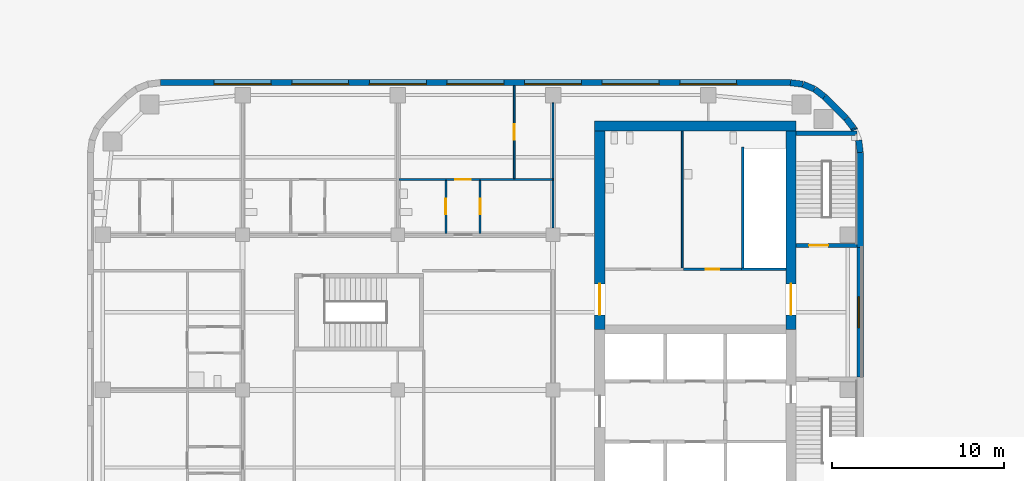
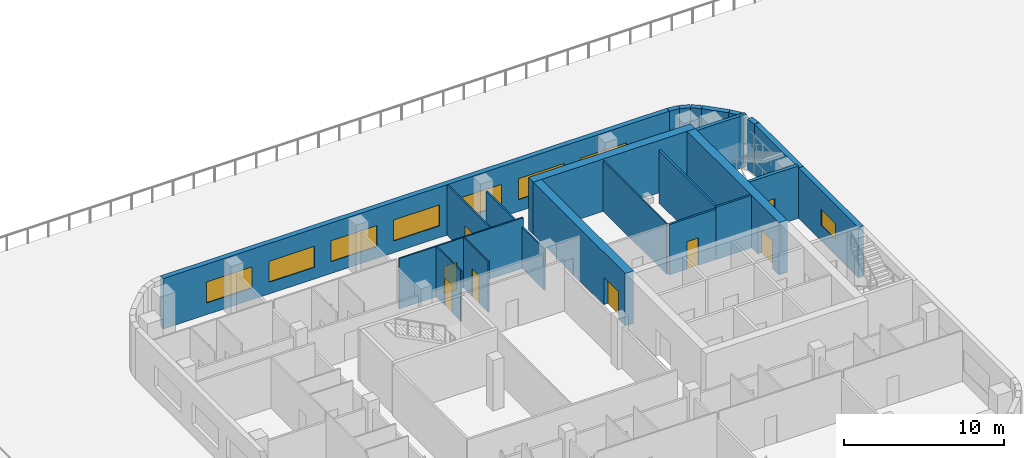
# One storey, part 8 of 18: 25 walls, 8 doors, 8 windows, 16 openings.
"""IFC4 building model written with IfcOpenShell, lengths in metres."""

from ifc_helpers import new_model, si_unit, direction, frame, frame_2d, origin, place, context, subcontext, project, spatial, rectangle, extrude, material, layer, layer_set, type_object, element, fill, save


model = new_model("IFC4")

# Units and contexts
model_context = context("Model", 3, precision=1e-05, world=origin(), true_north=direction((0.0, 1.0)))
body_context = subcontext(model_context, "Body", "Model", "MODEL_VIEW")
ifc_project = project(units=[si_unit("LENGTHUNIT", "METRE"), si_unit("AREAUNIT", "SQUARE_METRE"), si_unit("VOLUMEUNIT", "CUBIC_METRE"), si_unit("PLANEANGLEUNIT", "RADIAN"), si_unit("MASSUNIT", "GRAM", prefix="KILO")], contexts=[model_context])

# Site, building, storey
site_placement = place(None, origin())
site = spatial("IfcSite", under=ifc_project, at=site_placement, CompositionType="ELEMENT")
building_placement = place(site_placement, origin())
building = spatial("IfcBuilding", under=site, at=building_placement, Name="Cinnabar Reach Civic Tower", CompositionType="ELEMENT")
storey_placement = place(building_placement, frame((0.0, 0.0, 26.0)))
storey = spatial("IfcBuildingStorey", under=building, at=storey_placement, Name="L05", CompositionType="ELEMENT", Elevation=26.0)

# Walls
ifc_material_1 = material(Name="Facing brick with insulated backing", Category="masonry")
ifc_layer_1 = layer(ifc_material_1, 0.36)
ifc_layer_set_1 = layer_set([ifc_layer_1], Name="Brick corner wall")
wall_type_1 = type_object("IfcWallType", Name="Brick corner wall", PredefinedType="STANDARD", material=ifc_layer_set_1)
wall_1_placement = place(storey_placement, frame((-27.183, 40.7686, 0.0), z_axis=(0.0, 0.0, 1.0), x_axis=(-0.13055608231, 0.99144092581, 0.0)))
element("IfcWall", 1, at=wall_1_placement, inside=storey, type_object=wall_type_1, Name="Brick corner wall", PredefinedType="STANDARD", context=body_context, shape_type="SweptSolid", body=[
    extrude(rectangle(XDim=0.7131, YDim=0.36, at=frame_2d((0.3565, 0.0))), origin(), (0.0, 0.0, 1.0), 3.85),
])
wall_2_placement = place(storey_placement, frame((-27.5206, 42.0735, 0.0), z_axis=(0.0, 0.0, 1.0), x_axis=(-0.382549378284, 0.923935048136, 0.0)))
element("IfcWall", 2, at=wall_2_placement, inside=storey, type_object=wall_type_1, Name="Brick corner wall", PredefinedType="STANDARD", context=body_context, shape_type="SweptSolid", body=[
    extrude(rectangle(XDim=0.0894, YDim=0.36, at=frame_2d((0.0447, 0.0))), origin(), (0.0, 0.0, 1.0), 3.85),
])
for number, where, z_axis, x_axis, name in (
    (3, (-27.566, 42.1755, 0.0), (0.0, 0.0, 1.0), (-0.608802368033, 0.793321924995, 0.0), "Brick corner wall"),
    (4, (-29.2587, 43.9998, 0.0), (0.0, 0.0, 1.0), (-0.793321924995, 0.608802368033, 0.0), "Brick corner wall"),
):
    element("IfcWall", number, at=place(storey_placement, frame(where, z_axis=z_axis, x_axis=x_axis)), inside=storey, type_object=wall_type_1, Name=name, PredefinedType="STANDARD", context=body_context, shape_type="SweptSolid", body=[
        extrude(rectangle(XDim=0.7132, YDim=0.36, at=frame_2d((0.3566, 0.0))), origin(), (0.0, 0.0, 1.0), 3.85),
    ])
for number, where, z_axis, x_axis, name in (
    (5, (-29.8439, 44.4452, 0.0), (0.0, 0.0, 1.0), (-0.923871547278, 0.382702709855, 0.0), "Brick corner wall"),
    (6, (-30.5244, 44.7239, 0.0), (0.0, 0.0, 1.0), (-0.99144092581, 0.13055608231, 0.0), "Brick corner wall"),
):
    element("IfcWall", number, at=place(storey_placement, frame(where, z_axis=z_axis, x_axis=x_axis)), inside=storey, type_object=wall_type_1, Name=name, PredefinedType="STANDARD", context=body_context, shape_type="SweptSolid", body=[
        extrude(rectangle(XDim=0.7131, YDim=0.36, at=frame_2d((0.3565, 0.0))), origin(), (0.0, 0.0, 1.0), 3.85),
    ])

# Wall, opening, window
ifc_layer_2 = layer(ifc_material_1, 0.36)
ifc_layer_set_2 = layer_set([ifc_layer_2], Name="Brick pier and spandrel wall")
wall_type_2 = type_object("IfcWallType", Name="Brick pier and spandrel wall", PredefinedType="STANDARD", material=ifc_layer_set_2)
wall_3_placement = place(storey_placement, frame((-27.18, 27.75, 0.0), z_axis=(0.0, 0.0, 1.0), x_axis=(0.0, 1.0, 0.0)))
wall_3 = element("IfcWall", 7, at=wall_3_placement, inside=storey, type_object=wall_type_2, Name="Brick facade wall", PredefinedType="STANDARD", context=body_context, shape_type="SweptSolid", body=[
    extrude(rectangle(XDim=7.5, YDim=0.36, at=frame_2d((3.75, 0.0))), origin(), (0.0, 0.0, 1.0), 3.85),
])
opening_1_placement = place(wall_3_placement, frame((2.85, 0.0, 1.2)))
opening_1 = element("IfcOpeningElement", 8, at=opening_1_placement, cuts=wall_3, Name="Opening W2358", PredefinedType="OPENING", context=body_context, shape_type="SweptSolid", body=[
    extrude(rectangle(XDim=1.8, YDim=1.2, at=frame_2d((0.9, 0.6))), frame((0.0, 0.19, 0.0), z_axis=(0.0, -1.0, 0.0), x_axis=(1.0, 0.0, 0.0)), (0.0, 0.0, 1.0), 0.38),
])
ifc_material_2 = material(Name="Clear double glazing in aluminium frame", Category="aluminium")
window_type_1 = type_object("IfcWindowType", Name="Deep-set window C", PartitioningType="SINGLE_PANEL", PredefinedType="WINDOW", material=ifc_material_2)
window_1_placement = place(opening_1_placement, origin())
window_1 = element("IfcWindow", 9, at=window_1_placement, inside=storey, type_object=window_type_1, Name="Window east face", OverallHeight=1.2, OverallWidth=1.8, PartitioningType="SINGLE_PANEL", PredefinedType="WINDOW", context=body_context, shape_type="SweptSolid", body=[
    extrude(rectangle(XDim=1.8, YDim=1.2, at=frame_2d((0.9, 0.6))), frame((0.0, 0.13, 0.0), z_axis=(0.0, -1.0, 0.0), x_axis=(1.0, 0.0, 0.0)), (0.0, 0.0, 1.0), 0.06),
])
fill(opening_1, window_1)

# Walls
wall_4_placement = place(storey_placement, frame((-27.18, 35.25, 0.0), z_axis=(0.0, 0.0, 1.0), x_axis=(0.0, 1.0, 0.0)))
element("IfcWall", 10, at=wall_4_placement, inside=storey, type_object=wall_type_2, Name="Brick facade wall", PredefinedType="STANDARD", context=body_context, shape_type="SweptSolid", body=[
    extrude(rectangle(XDim=5.5074, YDim=0.36, at=frame_2d((2.7537, 0.0))), origin(), (0.0, 0.0, 1.0), 3.85),
])
wall_5_placement = place(storey_placement, frame((-28.006, 42.7514, 0.0), z_axis=(0.0, 0.0, 1.0), x_axis=(-0.707106781187, 0.707106781187, 0.0)))
element("IfcWall", 11, at=wall_5_placement, inside=storey, type_object=wall_type_2, Name="Brick facade wall", PredefinedType="STANDARD", context=body_context, shape_type="SweptSolid", body=[
    extrude(rectangle(XDim=1.7573, YDim=0.36, at=frame_2d((0.8787, 0.0))), origin(), (0.0, 0.0, 1.0), 3.85),
])

# Wall, openings, windows
wall_6_placement = place(storey_placement, frame((-31.2426, 44.82, 0.0), z_axis=(0.0, 0.0, 1.0), x_axis=(-1.0, 0.0, 0.0)))
wall_6 = element("IfcWall", 12, at=wall_6_placement, inside=storey, type_object=wall_type_2, Name="Brick facade wall", PredefinedType="STANDARD", context=body_context, shape_type="SweptSolid", body=[
    extrude(rectangle(XDim=36.5148, YDim=0.36, at=frame_2d((18.2574, 0.0))), origin(), (0.0, 0.0, 1.0), 3.85),
])
opening_2_placement = place(wall_6_placement, frame((3.1074, 0.0, 0.9)))
opening_2 = element("IfcOpeningElement", 13, at=opening_2_placement, cuts=wall_6, Name="Opening W2359", PredefinedType="OPENING", context=body_context, shape_type="SweptSolid", body=[
    extrude(rectangle(XDim=3.3, YDim=1.6, at=frame_2d((1.65, 0.8))), frame((0.0, 0.19, 0.0), z_axis=(0.0, -1.0, 0.0), x_axis=(1.0, 0.0, 0.0)), (0.0, 0.0, 1.0), 0.38),
])
opening_3_placement = place(wall_6_placement, frame((7.6074, 0.0, 0.9)))
opening_3 = element("IfcOpeningElement", 14, at=opening_3_placement, cuts=wall_6, Name="Opening W2360", PredefinedType="OPENING", context=body_context, shape_type="SweptSolid", body=[
    extrude(rectangle(XDim=3.3, YDim=1.6, at=frame_2d((1.65, 0.8))), frame((0.0, 0.19, 0.0), z_axis=(0.0, -1.0, 0.0), x_axis=(1.0, 0.0, 0.0)), (0.0, 0.0, 1.0), 0.38),
])
opening_4_placement = place(wall_6_placement, frame((12.1074, 0.0, 0.9)))
opening_4 = element("IfcOpeningElement", 15, at=opening_4_placement, cuts=wall_6, Name="Opening W2361", PredefinedType="OPENING", context=body_context, shape_type="SweptSolid", body=[
    extrude(rectangle(XDim=3.3, YDim=1.6, at=frame_2d((1.65, 0.8))), frame((0.0, 0.19, 0.0), z_axis=(0.0, -1.0, 0.0), x_axis=(1.0, 0.0, 0.0)), (0.0, 0.0, 1.0), 0.38),
])
opening_5_placement = place(wall_6_placement, frame((16.6074, 0.0, 0.9)))
opening_5 = element("IfcOpeningElement", 16, at=opening_5_placement, cuts=wall_6, Name="Opening W2362", PredefinedType="OPENING", context=body_context, shape_type="SweptSolid", body=[
    extrude(rectangle(XDim=3.3, YDim=1.6, at=frame_2d((1.65, 0.8))), frame((0.0, 0.19, 0.0), z_axis=(0.0, -1.0, 0.0), x_axis=(1.0, 0.0, 0.0)), (0.0, 0.0, 1.0), 0.38),
])
opening_6_placement = place(wall_6_placement, frame((21.1074, 0.0, 0.9)))
opening_6 = element("IfcOpeningElement", 17, at=opening_6_placement, cuts=wall_6, Name="Opening W2363", PredefinedType="OPENING", context=body_context, shape_type="SweptSolid", body=[
    extrude(rectangle(XDim=3.3, YDim=1.6, at=frame_2d((1.65, 0.8))), frame((0.0, 0.19, 0.0), z_axis=(0.0, -1.0, 0.0), x_axis=(1.0, 0.0, 0.0)), (0.0, 0.0, 1.0), 0.38),
])
opening_7_placement = place(wall_6_placement, frame((25.6074, 0.0, 0.9)))
opening_7 = element("IfcOpeningElement", 18, at=opening_7_placement, cuts=wall_6, Name="Opening W2364", PredefinedType="OPENING", context=body_context, shape_type="SweptSolid", body=[
    extrude(rectangle(XDim=3.3, YDim=1.6, at=frame_2d((1.65, 0.8))), frame((0.0, 0.19, 0.0), z_axis=(0.0, -1.0, 0.0), x_axis=(1.0, 0.0, 0.0)), (0.0, 0.0, 1.0), 0.38),
])
opening_8_placement = place(wall_6_placement, frame((30.1074, 0.0, 0.9)))
opening_8 = element("IfcOpeningElement", 19, at=opening_8_placement, cuts=wall_6, Name="Opening W2365", PredefinedType="OPENING", context=body_context, shape_type="SweptSolid", body=[
    extrude(rectangle(XDim=3.3, YDim=1.6, at=frame_2d((1.65, 0.8))), frame((0.0, 0.19, 0.0), z_axis=(0.0, -1.0, 0.0), x_axis=(1.0, 0.0, 0.0)), (0.0, 0.0, 1.0), 0.38),
])
window_type_2 = type_object("IfcWindowType", Name="Deep-set window A", PartitioningType="SINGLE_PANEL", PredefinedType="WINDOW", material=ifc_material_2)
window_2_placement = place(opening_2_placement, origin())
window_2 = element("IfcWindow", 20, at=window_2_placement, inside=storey, type_object=window_type_2, Name="Window north face", OverallHeight=1.6, OverallWidth=3.3, PartitioningType="SINGLE_PANEL", PredefinedType="WINDOW", context=body_context, shape_type="SweptSolid", body=[
    extrude(rectangle(XDim=3.3, YDim=1.6, at=frame_2d((1.65, 0.8))), frame((0.0, 0.13, 0.0), z_axis=(0.0, -1.0, 0.0), x_axis=(1.0, 0.0, 0.0)), (0.0, 0.0, 1.0), 0.06),
])
fill(opening_2, window_2)
window_3_placement = place(opening_3_placement, origin())
window_3 = element("IfcWindow", 21, at=window_3_placement, inside=storey, type_object=window_type_2, Name="Window north face", OverallHeight=1.6, OverallWidth=3.3, PartitioningType="SINGLE_PANEL", PredefinedType="WINDOW", context=body_context, shape_type="SweptSolid", body=[
    extrude(rectangle(XDim=3.3, YDim=1.6, at=frame_2d((1.65, 0.8))), frame((0.0, 0.13, 0.0), z_axis=(0.0, -1.0, 0.0), x_axis=(1.0, 0.0, 0.0)), (0.0, 0.0, 1.0), 0.06),
])
fill(opening_3, window_3)
window_4_placement = place(opening_4_placement, origin())
window_4 = element("IfcWindow", 22, at=window_4_placement, inside=storey, type_object=window_type_2, Name="Window north face", OverallHeight=1.6, OverallWidth=3.3, PartitioningType="SINGLE_PANEL", PredefinedType="WINDOW", context=body_context, shape_type="SweptSolid", body=[
    extrude(rectangle(XDim=3.3, YDim=1.6, at=frame_2d((1.65, 0.8))), frame((0.0, 0.13, 0.0), z_axis=(0.0, -1.0, 0.0), x_axis=(1.0, 0.0, 0.0)), (0.0, 0.0, 1.0), 0.06),
])
fill(opening_4, window_4)
window_5_placement = place(opening_5_placement, origin())
window_5 = element("IfcWindow", 23, at=window_5_placement, inside=storey, type_object=window_type_2, Name="Window north face", OverallHeight=1.6, OverallWidth=3.3, PartitioningType="SINGLE_PANEL", PredefinedType="WINDOW", context=body_context, shape_type="SweptSolid", body=[
    extrude(rectangle(XDim=3.3, YDim=1.6, at=frame_2d((1.65, 0.8))), frame((0.0, 0.13, 0.0), z_axis=(0.0, -1.0, 0.0), x_axis=(1.0, 0.0, 0.0)), (0.0, 0.0, 1.0), 0.06),
])
fill(opening_5, window_5)
window_6_placement = place(opening_6_placement, origin())
window_6 = element("IfcWindow", 24, at=window_6_placement, inside=storey, type_object=window_type_2, Name="Window north face", OverallHeight=1.6, OverallWidth=3.3, PartitioningType="SINGLE_PANEL", PredefinedType="WINDOW", context=body_context, shape_type="SweptSolid", body=[
    extrude(rectangle(XDim=3.3, YDim=1.6, at=frame_2d((1.65, 0.8))), frame((0.0, 0.13, 0.0), z_axis=(0.0, -1.0, 0.0), x_axis=(1.0, 0.0, 0.0)), (0.0, 0.0, 1.0), 0.06),
])
fill(opening_6, window_6)
window_7_placement = place(opening_7_placement, origin())
window_7 = element("IfcWindow", 25, at=window_7_placement, inside=storey, type_object=window_type_2, Name="Window north face", OverallHeight=1.6, OverallWidth=3.3, PartitioningType="SINGLE_PANEL", PredefinedType="WINDOW", context=body_context, shape_type="SweptSolid", body=[
    extrude(rectangle(XDim=3.3, YDim=1.6, at=frame_2d((1.65, 0.8))), frame((0.0, 0.13, 0.0), z_axis=(0.0, -1.0, 0.0), x_axis=(1.0, 0.0, 0.0)), (0.0, 0.0, 1.0), 0.06),
])
fill(opening_7, window_7)
window_8_placement = place(opening_8_placement, origin())
window_8 = element("IfcWindow", 26, at=window_8_placement, inside=storey, type_object=window_type_2, Name="Window north face", OverallHeight=1.6, OverallWidth=3.3, PartitioningType="SINGLE_PANEL", PredefinedType="WINDOW", context=body_context, shape_type="SweptSolid", body=[
    extrude(rectangle(XDim=3.3, YDim=1.6, at=frame_2d((1.65, 0.8))), frame((0.0, 0.13, 0.0), z_axis=(0.0, -1.0, 0.0), x_axis=(1.0, 0.0, 0.0)), (0.0, 0.0, 1.0), 0.06),
])
fill(opening_8, window_8)

# Wall
ifc_material_3 = material(Name="Concrete C70", Category="concrete")
ifc_layer_3 = layer(ifc_material_3, 0.6)
ifc_layer_set_3 = layer_set([ifc_layer_3], Name="Core wall 600 EI 180")
wall_type_3 = type_object("IfcWallType", Name="Core wall 600 EI 180", PredefinedType="SOLIDWALL", material=ifc_layer_set_3)
wall_7_placement = place(storey_placement, frame((-30.9, 42.3, 0.0), z_axis=(0.0, 0.0, 1.0), x_axis=(-1.0, 0.0, 0.0)))
element("IfcWall", 27, at=wall_7_placement, inside=storey, type_object=wall_type_3, Name="Core wall T2 L05 N", PredefinedType="SOLIDWALL", context=body_context, shape_type="SweptSolid", body=[
    extrude(rectangle(XDim=11.7, YDim=0.6, at=frame_2d((5.85, 0.0))), origin(), (0.0, 0.0, 1.0), 4.0),
])

# Wall, opening, door
wall_8_placement = place(storey_placement, frame((-31.2, 30.5, 0.0), z_axis=(0.0, 0.0, 1.0), x_axis=(0.0, 1.0, 0.0)))
wall_8 = element("IfcWall", 28, at=wall_8_placement, inside=storey, type_object=wall_type_3, Name="Core wall T2 L05 E2", PredefinedType="SOLIDWALL", context=body_context, shape_type="SweptSolid", body=[
    extrude(rectangle(XDim=11.5, YDim=0.6, at=frame_2d((5.75, 0.0))), origin(), (0.0, 0.0, 1.0), 4.0),
])
opening_9_placement = place(wall_8_placement, frame((0.85, 0.0, 0.0)))
opening_9 = element("IfcOpeningElement", 29, at=opening_9_placement, cuts=wall_8, Name="Opening D6100", PredefinedType="OPENING", context=body_context, shape_type="SweptSolid", body=[
    extrude(rectangle(XDim=1.8, YDim=2.1, at=frame_2d((0.9, 1.05))), frame((0.0, 0.31, 0.0), z_axis=(0.0, -1.0, 0.0), x_axis=(1.0, 0.0, 0.0)), (0.0, 0.0, 1.0), 0.62),
])
ifc_material_4 = material(Name="Steel fire door", Category="steel")
door_type_1 = type_object("IfcDoorType", Name="T2 Double door 1800", OperationType="DOUBLE_DOOR_SINGLE_SWING", PredefinedType="DOOR", material=ifc_material_4)
door_1_placement = place(opening_9_placement, origin())
door_1 = element("IfcDoor", 30, at=door_1_placement, inside=storey, type_object=door_type_1, Name="T2 Double door D6100", OperationType="DOUBLE_DOOR_SINGLE_SWING", OverallHeight=2.1, OverallWidth=1.8, PredefinedType="DOOR", context=body_context, shape_type="SweptSolid", body=[
    extrude(rectangle(XDim=1.8, YDim=2.1, at=frame_2d((0.9, 1.05))), frame((0.0, 0.025, 0.0), z_axis=(0.0, -1.0, 0.0), x_axis=(1.0, 0.0, 0.0)), (0.0, 0.0, 1.0), 0.05),
])
fill(opening_9, door_1)

wall_9_placement = place(storey_placement, frame((-42.3, 42.0, 0.0), z_axis=(0.0, 0.0, 1.0), x_axis=(0.0, -1.0, 0.0)))
wall_9 = element("IfcWall", 31, at=wall_9_placement, inside=storey, type_object=wall_type_3, Name="Core wall T2 L05 W", PredefinedType="SOLIDWALL", context=body_context, shape_type="SweptSolid", body=[
    extrude(rectangle(XDim=11.5, YDim=0.6, at=frame_2d((5.75, 0.0))), origin(), (0.0, 0.0, 1.0), 4.0),
])
opening_10_placement = place(wall_9_placement, frame((8.85, 0.0, 0.0)))
opening_10 = element("IfcOpeningElement", 32, at=opening_10_placement, cuts=wall_9, Name="Opening D6102", PredefinedType="OPENING", context=body_context, shape_type="SweptSolid", body=[
    extrude(rectangle(XDim=1.8, YDim=2.1, at=frame_2d((0.9, 1.05))), frame((0.0, 0.31, 0.0), z_axis=(0.0, -1.0, 0.0), x_axis=(1.0, 0.0, 0.0)), (0.0, 0.0, 1.0), 0.62),
])
door_2_placement = place(opening_10_placement, frame((1.8, 0.0, 0.0), z_axis=(0.0, 0.0, 1.0), x_axis=(-1.0, 0.0, 0.0)))
door_2 = element("IfcDoor", 33, at=door_2_placement, inside=storey, type_object=door_type_1, Name="T2 Double door D6102", OperationType="DOUBLE_DOOR_SINGLE_SWING", OverallHeight=2.1, OverallWidth=1.8, PredefinedType="DOOR", context=body_context, shape_type="SweptSolid", body=[
    extrude(rectangle(XDim=1.8, YDim=2.1, at=frame_2d((0.9, 1.05))), frame((0.0, 0.025, 0.0), z_axis=(0.0, -1.0, 0.0), x_axis=(1.0, 0.0, 0.0)), (0.0, 0.0, 1.0), 0.05),
])
fill(opening_10, door_2)

ifc_material_5 = material(Name="Gypsum board on steel studs", Category="steel")
ifc_layer_4 = layer(ifc_material_5, 0.1)
ifc_layer_set_4 = layer_set([ifc_layer_4], Name="Partition wall 100 T2")
wall_type_4 = type_object("IfcWallType", Name="Partition wall 100 T2", PredefinedType="PARTITIONING", material=ifc_layer_set_4)
wall_10_placement = place(storey_placement, frame((-53.925, 39.2, 0.0), z_axis=(0.0, 0.0, 1.0), x_axis=(1.0, 0.0, 0.0)))
wall_10 = element("IfcWall", 34, at=wall_10_placement, inside=storey, type_object=wall_type_4, Name="Partition wall 32", PredefinedType="PARTITIONING", context=body_context, shape_type="SweptSolid", body=[
    extrude(rectangle(XDim=8.975, YDim=0.1, at=frame_2d((4.4875, 0.0))), origin(), (0.0, 0.0, 1.0), 3.85),
])
opening_11_placement = place(wall_10_placement, frame((3.265, 0.0, 0.0)))
opening_11 = element("IfcOpeningElement", 35, at=opening_11_placement, cuts=wall_10, Name="Opening D6133", PredefinedType="OPENING", context=body_context, shape_type="SweptSolid", body=[
    extrude(rectangle(XDim=0.9, YDim=2.1, at=frame_2d((0.45, 1.05))), frame((0.0, 0.06, 0.0), z_axis=(0.0, -1.0, 0.0), x_axis=(1.0, 0.0, 0.0)), (0.0, 0.0, 1.0), 0.12),
])
ifc_material_6 = material(Name="Timber door leaf in steel frame", Category="steel")
door_type_2 = type_object("IfcDoorType", Name="Single swing door 900 x 2100 T2", OperationType="SINGLE_SWING_LEFT", PredefinedType="DOOR", material=ifc_material_6)
door_3_placement = place(opening_11_placement, frame((0.9, 0.0, 0.0), z_axis=(0.0, 0.0, 1.0), x_axis=(-1.0, 0.0, 0.0)))
door_3 = element("IfcDoor", 36, at=door_3_placement, inside=storey, type_object=door_type_2, Name="Door D6133", OperationType="SINGLE_SWING_LEFT", OverallHeight=2.1, OverallWidth=0.9, PredefinedType="DOOR", context=body_context, shape_type="SweptSolid", body=[
    extrude(rectangle(XDim=0.9, YDim=2.1, at=frame_2d((0.45, 1.05))), frame((0.0, 0.025, 0.0), z_axis=(0.0, -1.0, 0.0), x_axis=(1.0, 0.0, 0.0)), (0.0, 0.0, 1.0), 0.05),
])
fill(opening_11, door_3)

# Walls
wall_11_placement = place(storey_placement, frame((-45.0, 39.25, 0.0), z_axis=(0.0, 0.0, 1.0), x_axis=(0.0, 1.0, 0.0)))
element("IfcWall", 37, at=wall_11_placement, inside=storey, type_object=wall_type_4, Name="Partition wall 40", PredefinedType="PARTITIONING", context=body_context, shape_type="SweptSolid", body=[
    extrude(rectangle(XDim=4.4, YDim=0.1, at=frame_2d((2.2, 0.0))), origin(), (0.0, 0.0, 1.0), 3.158),
])
wall_12_placement = place(storey_placement, frame((-45.0, 36.4, 0.0), z_axis=(0.0, 0.0, 1.0), x_axis=(0.0, 1.0, 0.0)))
element("IfcWall", 38, at=wall_12_placement, inside=storey, type_object=wall_type_4, Name="Partition wall 41", PredefinedType="PARTITIONING", context=body_context, shape_type="SweptSolid", body=[
    extrude(rectangle(XDim=2.75, YDim=0.1, at=frame_2d((1.375, 0.0))), origin(), (0.0, 0.0, 1.0), 3.158),
])

# Wall, opening, door
wall_13_placement = place(storey_placement, frame((-47.25, 39.25, 0.0), z_axis=(0.0, 0.0, 1.0), x_axis=(0.0, 1.0, 0.0)))
wall_13 = element("IfcWall", 39, at=wall_13_placement, inside=storey, type_object=wall_type_4, Name="Partition wall 42", PredefinedType="PARTITIONING", context=body_context, shape_type="SweptSolid", body=[
    extrude(rectangle(XDim=5.39, YDim=0.1, at=frame_2d((2.695, 0.0))), origin(), (0.0, 0.0, 1.0), 3.85),
])
opening_12_placement = place(wall_13_placement, frame((2.25, 0.0, 0.0)))
opening_12 = element("IfcOpeningElement", 40, at=opening_12_placement, cuts=wall_13, Name="Opening D6134", PredefinedType="OPENING", context=body_context, shape_type="SweptSolid", body=[
    extrude(rectangle(XDim=0.9, YDim=2.1, at=frame_2d((0.45, 1.05))), frame((0.0, 0.06, 0.0), z_axis=(0.0, -1.0, 0.0), x_axis=(1.0, 0.0, 0.0)), (0.0, 0.0, 1.0), 0.12),
])
door_4_placement = place(opening_12_placement, frame((0.9, 0.0, 0.0), z_axis=(0.0, 0.0, 1.0), x_axis=(-1.0, 0.0, 0.0)))
door_4 = element("IfcDoor", 41, at=door_4_placement, inside=storey, type_object=door_type_2, Name="Door D6134", OperationType="SINGLE_SWING_RIGHT", OverallHeight=2.1, OverallWidth=0.9, PredefinedType="DOOR", context=body_context, shape_type="SweptSolid", body=[
    extrude(rectangle(XDim=0.9, YDim=2.1, at=frame_2d((0.45, 1.05))), frame((0.0, 0.025, 0.0), z_axis=(0.0, -1.0, 0.0), x_axis=(1.0, 0.0, 0.0)), (0.0, 0.0, 1.0), 0.05),
])
fill(opening_12, door_4)

wall_14_placement = place(storey_placement, frame((-51.21, 36.075, 0.0), z_axis=(0.0, 0.0, 1.0), x_axis=(0.0, 1.0, 0.0)))
wall_14 = element("IfcWall", 42, at=wall_14_placement, inside=storey, type_object=wall_type_4, Name="Partition wall 51", PredefinedType="PARTITIONING", context=body_context, shape_type="SweptSolid", body=[
    extrude(rectangle(XDim=3.075, YDim=0.1, at=frame_2d((1.5375, 0.0))), origin(), (0.0, 0.0, 1.0), 3.85),
])
opening_13_placement = place(wall_14_placement, frame((1.1, 0.0, 0.0)))
opening_13 = element("IfcOpeningElement", 43, at=opening_13_placement, cuts=wall_14, Name="Opening D6131", PredefinedType="OPENING", context=body_context, shape_type="SweptSolid", body=[
    extrude(rectangle(XDim=0.9, YDim=2.1, at=frame_2d((0.45, 1.05))), frame((0.0, 0.06, 0.0), z_axis=(0.0, -1.0, 0.0), x_axis=(1.0, 0.0, 0.0)), (0.0, 0.0, 1.0), 0.12),
])
door_5_placement = place(opening_13_placement, origin())
door_5 = element("IfcDoor", 44, at=door_5_placement, inside=storey, type_object=door_type_2, Name="Door D6131", OperationType="SINGLE_SWING_LEFT", OverallHeight=2.1, OverallWidth=0.9, PredefinedType="DOOR", context=body_context, shape_type="SweptSolid", body=[
    extrude(rectangle(XDim=0.9, YDim=2.1, at=frame_2d((0.45, 1.05))), frame((0.0, 0.025, 0.0), z_axis=(0.0, -1.0, 0.0), x_axis=(1.0, 0.0, 0.0)), (0.0, 0.0, 1.0), 0.05),
])
fill(opening_13, door_5)

wall_15_placement = place(storey_placement, frame((-49.23, 36.075, 0.0), z_axis=(0.0, 0.0, 1.0), x_axis=(0.0, 1.0, 0.0)))
wall_15 = element("IfcWall", 45, at=wall_15_placement, inside=storey, type_object=wall_type_4, Name="Partition wall 52", PredefinedType="PARTITIONING", context=body_context, shape_type="SweptSolid", body=[
    extrude(rectangle(XDim=3.075, YDim=0.1, at=frame_2d((1.5375, 0.0))), origin(), (0.0, 0.0, 1.0), 3.85),
])
opening_14_placement = place(wall_15_placement, frame((1.1, 0.0, 0.0)))
opening_14 = element("IfcOpeningElement", 46, at=opening_14_placement, cuts=wall_15, Name="Opening D6132", PredefinedType="OPENING", context=body_context, shape_type="SweptSolid", body=[
    extrude(rectangle(XDim=0.9, YDim=2.1, at=frame_2d((0.45, 1.05))), frame((0.0, 0.06, 0.0), z_axis=(0.0, -1.0, 0.0), x_axis=(1.0, 0.0, 0.0)), (0.0, 0.0, 1.0), 0.12),
])
door_6_placement = place(opening_14_placement, origin())
door_6 = element("IfcDoor", 47, at=door_6_placement, inside=storey, type_object=door_type_2, Name="Door D6132", OperationType="SINGLE_SWING_LEFT", OverallHeight=2.1, OverallWidth=0.9, PredefinedType="DOOR", context=body_context, shape_type="SweptSolid", body=[
    extrude(rectangle(XDim=0.9, YDim=2.1, at=frame_2d((0.45, 1.05))), frame((0.0, 0.025, 0.0), z_axis=(0.0, -1.0, 0.0), x_axis=(1.0, 0.0, 0.0)), (0.0, 0.0, 1.0), 0.05),
])
fill(opening_14, door_6)

ifc_material_7 = material(Name="Concrete C60", Category="concrete")
ifc_layer_5 = layer(ifc_material_7, 0.25)
ifc_layer_set_5 = layer_set([ifc_layer_5], Name="Stair shaft wall 250 EI 120")
wall_type_5 = type_object("IfcWallType", Name="Stair shaft wall 250 EI 120", PredefinedType="SOLIDWALL", material=ifc_layer_set_5)
wall_16_placement = place(storey_placement, frame((-30.9, 35.375, 0.0), z_axis=(0.0, 0.0, 1.0), x_axis=(1.0, 0.0, 0.0)))
wall_16 = element("IfcWall", 48, at=wall_16_placement, inside=storey, type_object=wall_type_5, Name="Stair shaft wall T2-S2 L05", PredefinedType="SOLIDWALL", context=body_context, shape_type="SweptSolid", body=[
    extrude(rectangle(XDim=3.54, YDim=0.25, at=frame_2d((1.77, 0.0))), origin(), (0.0, 0.0, 1.0), 4.0),
])
opening_15_placement = place(wall_16_placement, frame((0.75, 0.0, 0.0)))
opening_15 = element("IfcOpeningElement", 49, at=opening_15_placement, cuts=wall_16, Name="Opening D6099", PredefinedType="OPENING", context=body_context, shape_type="SweptSolid", body=[
    extrude(rectangle(XDim=1.1, YDim=2.1, at=frame_2d((0.55, 1.05))), frame((0.0, 0.135, 0.0), z_axis=(0.0, -1.0, 0.0), x_axis=(1.0, 0.0, 0.0)), (0.0, 0.0, 1.0), 0.27),
])
door_type_3 = type_object("IfcDoorType", Name="T2 Stair door 1100", OperationType="SINGLE_SWING_LEFT", PredefinedType="DOOR", material=ifc_material_4)
door_7_placement = place(opening_15_placement, origin())
door_7 = element("IfcDoor", 50, at=door_7_placement, inside=storey, type_object=door_type_3, Name="T2 Stair door D6099", OperationType="SINGLE_SWING_RIGHT", OverallHeight=2.1, OverallWidth=1.1, PredefinedType="DOOR", context=body_context, shape_type="SweptSolid", body=[
    extrude(rectangle(XDim=1.1, YDim=2.1, at=frame_2d((0.55, 1.05))), frame((0.0, 0.025, 0.0), z_axis=(0.0, -1.0, 0.0), x_axis=(1.0, 0.0, 0.0)), (0.0, 0.0, 1.0), 0.05),
])
fill(opening_15, door_7)

# Wall
wall_17_placement = place(storey_placement, frame((-27.36, 41.875, 0.0), z_axis=(0.0, 0.0, 1.0), x_axis=(-1.0, 0.0, 0.0)))
element("IfcWall", 51, at=wall_17_placement, inside=storey, type_object=wall_type_5, Name="Stair shaft wall T2-S2 L05", PredefinedType="SOLIDWALL", context=body_context, shape_type="SweptSolid", body=[
    extrude(rectangle(XDim=3.54, YDim=0.25, at=frame_2d((1.77, 0.0))), origin(), (0.0, 0.0, 1.0), 4.0),
])

# Wall, opening, door
ifc_material_8 = material(Name="Masonry block partition", Category="masonry")
ifc_layer_6 = layer(ifc_material_8, 0.15)
ifc_layer_set_6 = layer_set([ifc_layer_6], Name="T2 Corridor wall 150")
wall_type_6 = type_object("IfcWallType", Name="T2 Corridor wall 150", PredefinedType="PARTITIONING", material=ifc_layer_set_6)
wall_18_placement = place(storey_placement, frame((-34.075, 34.0, 0.0), z_axis=(0.0, 0.0, 1.0), x_axis=(-1.0, 0.0, 0.0)))
wall_18 = element("IfcWall", 52, at=wall_18_placement, inside=storey, type_object=wall_type_6, Name="T2 Corridor wall L05 015", PredefinedType="PARTITIONING", context=body_context, shape_type="SweptSolid", body=[
    extrude(rectangle(XDim=3.35, YDim=0.15, at=frame_2d((1.675, 0.0))), origin(), (0.0, 0.0, 1.0), 3.85),
])
opening_16_placement = place(wall_18_placement, frame((1.275, 0.0, 0.0)))
opening_16 = element("IfcOpeningElement", 53, at=opening_16_placement, cuts=wall_18, Name="Opening D6104", PredefinedType="OPENING", context=body_context, shape_type="SweptSolid", body=[
    extrude(rectangle(XDim=0.8, YDim=2.1, at=frame_2d((0.4, 1.05))), frame((0.0, 0.085, 0.0), z_axis=(0.0, -1.0, 0.0), x_axis=(1.0, 0.0, 0.0)), (0.0, 0.0, 1.0), 0.17),
])
ifc_material_9 = material(Name="Timber door leaf", Category="wood")
door_type_4 = type_object("IfcDoorType", Name="T2 Bathroom door 800", OperationType="SINGLE_SWING_LEFT", PredefinedType="DOOR", material=ifc_material_9)
door_8_placement = place(opening_16_placement, frame((0.8, 0.0, 0.0), z_axis=(0.0, 0.0, 1.0), x_axis=(-1.0, 0.0, 0.0)))
door_8 = element("IfcDoor", 54, at=door_8_placement, inside=storey, type_object=door_type_4, Name="T2 Bathroom door D6104", OperationType="SINGLE_SWING_LEFT", OverallHeight=2.1, OverallWidth=0.8, PredefinedType="DOOR", context=body_context, shape_type="SweptSolid", body=[
    extrude(rectangle(XDim=0.8, YDim=2.1, at=frame_2d((0.4, 1.05))), frame((0.0, 0.025, 0.0), z_axis=(0.0, -1.0, 0.0), x_axis=(1.0, 0.0, 0.0)), (0.0, 0.0, 1.0), 0.05),
])
fill(opening_16, door_8)

# Walls
ifc_material_10 = material(Name="Gypsum board partition")
ifc_layer_7 = layer(ifc_material_10, 0.1)
ifc_layer_set_7 = layer_set([ifc_layer_7], Name="T2 Internal partition 100")
wall_type_7 = type_object("IfcWallType", Name="T2 Internal partition 100", PredefinedType="PARTITIONING", material=ifc_layer_set_7)
wall_19_placement = place(storey_placement, frame((-37.5, 34.075, 0.0), z_axis=(0.0, 0.0, 1.0), x_axis=(0.0, 1.0, 0.0)))
element("IfcWall", 55, at=wall_19_placement, inside=storey, type_object=wall_type_7, Name="T2 Internal partition L05 016", PredefinedType="PARTITIONING", context=body_context, shape_type="SweptSolid", body=[
    extrude(rectangle(XDim=7.925, YDim=0.1, at=frame_2d((3.9625, 0.0))), origin(), (0.0, 0.0, 1.0), 3.85),
])
ifc_material_11 = material(Name="Concrete C40", Category="concrete")
ifc_layer_8 = layer(ifc_material_11, 0.15)
ifc_layer_set_8 = layer_set([ifc_layer_8], Name="T2 Riser wall 150")
wall_type_8 = type_object("IfcWallType", Name="T2 Riser wall 150", PredefinedType="SOLIDWALL", material=ifc_layer_set_8)
wall_20_placement = place(storey_placement, frame((-34.075, 34.0, 0.0), z_axis=(0.0, 0.0, 1.0), x_axis=(1.0, 0.0, 0.0)))
element("IfcWall", 56, at=wall_20_placement, inside=storey, type_object=wall_type_8, Name="T2 Riser wall L05 012", PredefinedType="SOLIDWALL", context=body_context, shape_type="SweptSolid", body=[
    extrude(rectangle(XDim=2.575, YDim=0.15, at=frame_2d((1.2875, 0.0))), origin(), (0.0, 0.0, 1.0), 4.0),
])
wall_21_placement = place(storey_placement, frame((-34.0, 41.075, 0.0), z_axis=(0.0, 0.0, 1.0), x_axis=(0.0, -1.0, 0.0)))
element("IfcWall", 57, at=wall_21_placement, inside=storey, type_object=wall_type_8, Name="T2 Riser wall L05 013", PredefinedType="SOLIDWALL", context=body_context, shape_type="SweptSolid", body=[
    extrude(rectangle(XDim=7.0, YDim=0.15, at=frame_2d((3.5, 0.0))), origin(), (0.0, 0.0, 1.0), 4.0),
])

save(model, "model.ifc")
